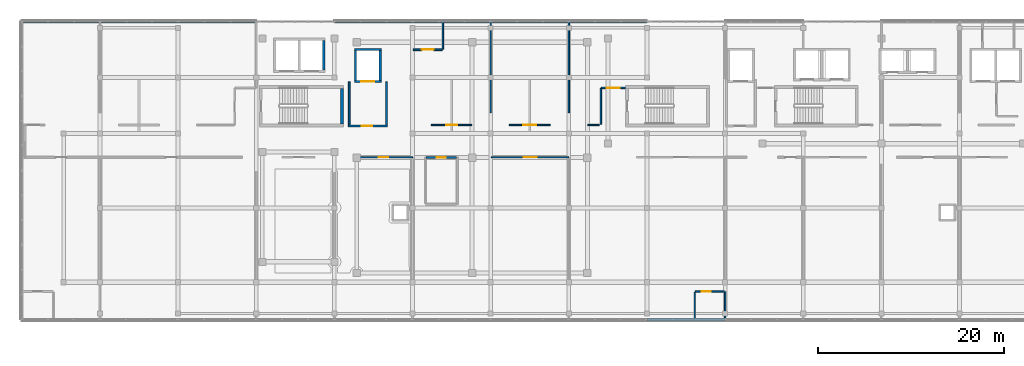
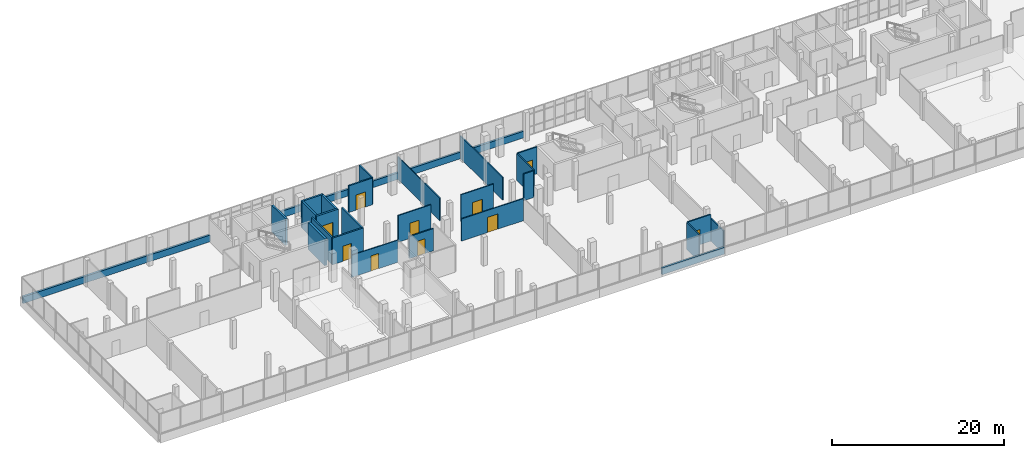
# One storey, part 56 of 66: 32 walls, 10 doors, 10 openings.
"""IFC4 building model written with IfcOpenShell, lengths in metres."""

from ifc_helpers import new_model, si_unit, direction, frame, frame_2d, origin, place, context, subcontext, project, spatial, rectangle, extrude, material, layer, layer_set, type_object, element, fill, save


model = new_model("IFC4")

# Units and contexts
model_context = context("Model", 3, precision=1e-05, world=origin(), true_north=direction((0.0, 1.0)))
body_context = subcontext(model_context, "Body", "Model", "MODEL_VIEW")
ifc_project = project(units=[si_unit("LENGTHUNIT", "METRE"), si_unit("AREAUNIT", "SQUARE_METRE"), si_unit("VOLUMEUNIT", "CUBIC_METRE"), si_unit("PLANEANGLEUNIT", "RADIAN"), si_unit("MASSUNIT", "GRAM", prefix="KILO")], contexts=[model_context])

# Site, building, storey
site_placement = place(None, origin())
site = spatial("IfcSite", under=ifc_project, at=site_placement, CompositionType="ELEMENT")
building_placement = place(site_placement, origin())
building = spatial("IfcBuilding", under=site, at=building_placement, Name="Selatvlak General Hospital", CompositionType="ELEMENT")
storey_placement = place(building_placement, frame((0.0, 0.0, 31.35009765625)))
storey = spatial("IfcBuildingStorey", under=building, at=storey_placement, Name="L07", CompositionType="ELEMENT", Elevation=31.35009765625)

# Walls
ifc_material_1 = material(Name="Precast concrete C40/50 - white Bauhaus spandrel", Category="concrete")
ifc_layer_1 = layer(ifc_material_1, 0.280029296875, Name="Precast concrete C40/50 - white Bauhaus spandrel", Category="concrete")
ifc_layer_set_1 = layer_set([ifc_layer_1], Name="Precast concrete C40/50 - white Bauhaus spandrel")
wall_type_1 = type_object("IfcWallType", Name="WALL-EW-02", PredefinedType="SOLIDWALL", material=ifc_layer_set_1)
wall_1_placement = place(storey_placement, frame((22.93994140625, 119.9990234375, 0.0), z_axis=(0.0, 0.0, 1.0), x_axis=(1.0, 0.0, 0.0)))
element("IfcWall", 1, at=wall_1_placement, inside=storey, type_object=wall_type_1, Name="L07 Bauhaus spandrel sill wall 0569", PredefinedType="SOLIDWALL", context=body_context, shape_type="SweptSolid", body=[
    extrude(rectangle(XDim=8.258056640625, YDim=0.280029296875, at=frame_2d((4.12890625, 0.0))), origin(), (0.0, 0.0, 1.0), 0.93994140625),
])
for number, where, z_axis, x_axis, name in (
    (2, (31.201904296875, 119.9990234375, 0.0), (0.0, 0.0, 1.0), (1.0, 0.0, 0.0), "L07 Bauhaus spandrel sill wall 0570"),
    (3, (39.60205078125, 119.9990234375, 0.0), (0.0, 0.0, 1.0), (1.0, 0.0, 0.0), "L07 Bauhaus spandrel sill wall 0571"),
    (4, (56.402099609375, 119.9990234375, 0.0), (0.0, 0.0, 1.0), (1.0, 0.0, 0.0), "L07 Bauhaus spandrel sill wall 0572"),
    (5, (64.802001953125, 119.9990234375, 0.0), (0.0, 0.0, 1.0), (1.0, 0.0, 0.0), "L07 Bauhaus spandrel sill wall 0573"),
    (6, (73.201904296875, 119.9990234375, 0.0), (0.0, 0.0, 1.0), (1.0, 0.0, 0.0), "L07 Bauhaus spandrel sill wall 0574"),
    (7, (81.60205078125, 119.9990234375, 0.0), (0.0, 0.0, 1.0), (1.0, 0.0, 0.0), "L07 Bauhaus spandrel sill wall 0575"),
    (8, (98.39794921875, 88.0009765625, 0.0), (0.0, 0.0, 1.0), (-0.999999993236, -0.000116312881, 0.0), "L07 Bauhaus spandrel sill wall 0594"),
):
    element("IfcWall", number, at=place(storey_placement, frame(where, z_axis=z_axis, x_axis=x_axis)), inside=storey, type_object=wall_type_1, Name=name, PredefinedType="SOLIDWALL", context=body_context, shape_type="SweptSolid", body=[
        extrude(rectangle(XDim=8.39599609375, YDim=0.280029296875, at=frame_2d((4.197998046875, 0.0))), origin(), (0.0, 0.0, 1.0), 0.93994140625),
    ])

# Wall, opening, door
ifc_material_2 = material(Name="Concrete C40/50", Category="concrete")
ifc_layer_2 = layer(ifc_material_2, 0.199951171875, Name="Concrete C40/50", Category="concrete")
ifc_layer_set_2 = layer_set([ifc_layer_2], Name="Concrete C40/50")
wall_type_2 = type_object("IfcWallType", Name="WALL-IW-02", PredefinedType="SOLIDWALL", material=ifc_layer_set_2)
wall_2_placement = place(storey_placement, frame((57.89990234375, 108.800048828125, 0.0), z_axis=(0.0, 0.0, 1.0), x_axis=(1.0, 0.0, 0.0)))
wall_2 = element("IfcWall", 9, at=wall_2_placement, inside=storey, type_object=wall_type_2, Name="Firefighting lobby C1 wall L07 S", PredefinedType="SOLIDWALL", context=body_context, shape_type="SweptSolid", body=[
    extrude(rectangle(XDim=4.2001953125, YDim=0.199951171875, at=frame_2d((2.10009765625, 0.0))), origin(), (0.0, 0.0, 1.0), 3.784912109375),
])
opening_1_placement = place(wall_2_placement, frame((1.425048828125, 0.0, 0.0)))
opening_1 = element("IfcOpeningElement", 10, at=opening_1_placement, cuts=wall_2, Name="Opening D-06", PredefinedType="OPENING", context=body_context, shape_type="SweptSolid", body=[
    extrude(rectangle(XDim=1.14990234375, YDim=2.14990234375, at=frame_2d((0.574951171875, 1.074951171875))), frame((0.0, 0.10986328125, 0.0), z_axis=(0.0, -1.0, 0.0), x_axis=(1.0, 0.0, 0.0)), (0.0, 0.0, 1.0), 0.219970703125),
])
ifc_material_3 = material(Name="Firefighting lobby fire door")
door_type_1 = type_object("IfcDoorType", Name="DOOR-D-06", OperationType="NOTDEFINED", PredefinedType="DOOR", material=ifc_material_3)
door_1_placement = place(opening_1_placement, origin())
door_1 = element("IfcDoor", 11, at=door_1_placement, inside=storey, type_object=door_type_1, Name="Firefighting lobby C1 door on L07", OperationType="SINGLE_SWING_RIGHT", OverallHeight=2.14990234375, OverallWidth=1.14990234375, PredefinedType="DOOR", context=body_context, shape_type="SweptSolid", body=[
    extrude(rectangle(XDim=1.14990234375, YDim=2.14990234375, at=frame_2d((0.574951171875, 1.074951171875))), frame((0.0, 0.02490234375, 0.0), z_axis=(0.0, -1.0, 0.0), x_axis=(1.0, 0.0, 0.0)), (0.0, 0.0, 1.0), 0.050048828125),
])
fill(opening_1, door_1)

# Walls
for number, where, z_axis, x_axis, name in (
    (12, (62.0, 108.89990234375, 0.0), (0.0, 0.0, 1.0), (0.0, 1.0, 0.0), "Firefighting lobby C1 wall L07 E"),
    (13, (58.0, 113.550048828125, 0.0), (0.0, 0.0, 1.0), (0.0, -1.0, 0.0), "Firefighting lobby C1 wall L07 W"),
):
    element("IfcWall", number, at=place(storey_placement, frame(where, z_axis=z_axis, x_axis=x_axis)), inside=storey, type_object=wall_type_2, Name=name, PredefinedType="SOLIDWALL", context=body_context, shape_type="SweptSolid", body=[
        extrude(rectangle(XDim=4.650146484375, YDim=0.199951171875, at=frame_2d((2.3251953125, 0.0))), origin(), (0.0, 0.0, 1.0), 3.784912109375),
    ])

# Wall, opening, door
ifc_material_4 = material(Name="Acoustic gypsum stud partition")
ifc_layer_3 = layer(ifc_material_4, 0.179931640625, Name="Acoustic gypsum stud partition")
ifc_layer_set_3 = layer_set([ifc_layer_3], Name="Acoustic gypsum stud partition")
wall_type_3 = type_object("IfcWallType", Name="WALL-PT-01", PredefinedType="PARTITIONING", material=ifc_layer_set_3)
wall_3_placement = place(storey_placement, frame((66.263916015625, 105.419921875, 0.0), z_axis=(0.0, 0.0, 1.0), x_axis=(1.0, 0.0, 0.0)))
wall_3 = element("IfcWall", 14, at=wall_3_placement, inside=storey, type_object=wall_type_3, Name="L07 clinical partition PT-L07-2064", PredefinedType="PARTITIONING", context=body_context, shape_type="SweptSolid", body=[
    extrude(rectangle(XDim=3.25, YDim=0.179931640625, at=frame_2d((1.625, 0.0))), origin(), (0.0, 0.0, 1.0), 3.135009765625),
])
opening_2_placement = place(wall_3_placement, frame((1.125, 0.0, 0.0)))
opening_2 = element("IfcOpeningElement", 15, at=opening_2_placement, cuts=wall_3, Name="Opening D-03", PredefinedType="OPENING", context=body_context, shape_type="SweptSolid", body=[
    extrude(rectangle(XDim=1.0, YDim=2.10009765625, at=frame_2d((0.5, 1.050048828125))), frame((0.0, 0.099853515625, 0.0), z_axis=(0.0, -1.0, 0.0), x_axis=(1.0, 0.0, 0.0)), (0.0, 0.0, 1.0), 0.199951171875),
])
ifc_material_5 = material(Name="Accessible WC door")
door_type_2 = type_object("IfcDoorType", Name="DOOR-D-03", OperationType="NOTDEFINED", PredefinedType="DOOR", material=ifc_material_5)
door_2_placement = place(opening_2_placement, origin())
door_2 = element("IfcDoor", 16, at=door_2_placement, inside=storey, type_object=door_type_2, Name="L07 Accessible WC door", OperationType="SINGLE_SWING_LEFT", OverallHeight=2.10009765625, OverallWidth=1.0, PredefinedType="DOOR", context=body_context, shape_type="SweptSolid", body=[
    extrude(rectangle(XDim=1.0, YDim=2.10009765625, at=frame_2d((0.5, 1.050048828125))), frame((0.0, 0.02490234375, 0.0), z_axis=(0.0, -1.0, 0.0), x_axis=(1.0, 0.0, 0.0)), (0.0, 0.0, 1.0), 0.050048828125),
])
fill(opening_2, door_2)

# Wall
wall_4_placement = place(storey_placement, frame((98.39990234375, 91.0, 0.0), z_axis=(0.0, 0.0, 1.0), x_axis=(0.0, -1.0, 0.0)))
element("IfcWall", 17, at=wall_4_placement, inside=storey, type_object=wall_type_3, Name="L07 clinical partition PT-L07-2094", PredefinedType="PARTITIONING", context=body_context, shape_type="SweptSolid", body=[
    extrude(rectangle(XDim=2.989990234375, YDim=0.179931640625, at=frame_2d((1.4951171875, 0.0))), origin(), (0.0, 0.0, 1.0), 3.184814453125),
])

# Wall, opening, door
wall_5_placement = place(storey_placement, frame((64.87109375, 117.0, 0.0), z_axis=(0.0, 0.0, 1.0), x_axis=(1.0, 0.0, 0.0)))
wall_5 = element("IfcWall", 18, at=wall_5_placement, inside=storey, type_object=wall_type_3, Name="L07 clinical partition PT-L07-2124", PredefinedType="PARTITIONING", context=body_context, shape_type="SweptSolid", body=[
    extrude(rectangle(XDim=3.12890625, YDim=0.179931640625, at=frame_2d((1.564453125, 0.0))), origin(), (0.0, 0.0, 1.0), 3.784912109375),
])
opening_3_placement = place(wall_5_placement, frame((0.9150390625, 0.0, 0.0)))
opening_3 = element("IfcOpeningElement", 19, at=opening_3_placement, cuts=wall_5, Name="Opening D-09", PredefinedType="OPENING", context=body_context, shape_type="SweptSolid", body=[
    extrude(rectangle(XDim=1.300048828125, YDim=2.14990234375, at=frame_2d((0.64990234375, 1.074951171875))), frame((0.0, 0.099853515625, 0.0), z_axis=(0.0, -1.0, 0.0), x_axis=(1.0, 0.0, 0.0)), (0.0, 0.0, 1.0), 0.199951171875),
])
ifc_material_6 = material(Name="Outpatient procedure door")
door_type_3 = type_object("IfcDoorType", Name="DOOR-D-09", OperationType="NOTDEFINED", PredefinedType="DOOR", material=ifc_material_6)
door_3_placement = place(opening_3_placement, origin())
door_3 = element("IfcDoor", 20, at=door_3_placement, inside=storey, type_object=door_type_3, Name="L07 Patient En-Suite WC 19 door", OperationType="SINGLE_SWING_LEFT", OverallHeight=2.14990234375, OverallWidth=1.300048828125, PredefinedType="DOOR", context=body_context, shape_type="SweptSolid", body=[
    extrude(rectangle(XDim=1.300048828125, YDim=2.14990234375, at=frame_2d((0.64990234375, 1.074951171875))), frame((0.0, 0.02490234375, 0.0), z_axis=(0.0, -1.0, 0.0), x_axis=(1.0, 0.0, 0.0)), (0.0, 0.0, 1.0), 0.050048828125),
])
fill(opening_3, door_3)

wall_6_placement = place(storey_placement, frame((87.68994140625, 112.89990234375, 0.0), z_axis=(0.0, 0.0, 1.0), x_axis=(-1.0, 0.0, 0.0)))
wall_6 = element("IfcWall", 21, at=wall_6_placement, inside=storey, type_object=wall_type_3, Name="L07 clinical partition PT-L07-2130", PredefinedType="PARTITIONING", context=body_context, shape_type="SweptSolid", body=[
    extrude(rectangle(XDim=2.58984375, YDim=0.179931640625, at=frame_2d((1.294921875, 0.0))), origin(), (0.0, 0.0, 1.0), 3.784912109375),
])
opening_4_placement = place(wall_6_placement, frame((0.594970703125, 0.0, 0.0)))
opening_4 = element("IfcOpeningElement", 22, at=opening_4_placement, cuts=wall_6, Name="Opening D-11", PredefinedType="OPENING", context=body_context, shape_type="SweptSolid", body=[
    extrude(rectangle(XDim=1.39990234375, YDim=2.14990234375, at=frame_2d((0.699951171875, 1.074951171875))), frame((0.0, 0.099853515625, 0.0), z_axis=(0.0, -1.0, 0.0), x_axis=(1.0, 0.0, 0.0)), (0.0, 0.0, 1.0), 0.199951171875),
])
ifc_material_7 = material(Name="Inpatient suite bed door")
door_type_4 = type_object("IfcDoorType", Name="DOOR-D-11", OperationType="NOTDEFINED", PredefinedType="DOOR", material=ifc_material_7)
door_4_placement = place(opening_4_placement, origin())
door_4 = element("IfcDoor", 23, at=door_4_placement, inside=storey, type_object=door_type_4, Name="L07 Oncology Inpatient Ward Bay 21 door", OperationType="SINGLE_SWING_LEFT", OverallHeight=2.14990234375, OverallWidth=1.39990234375, PredefinedType="DOOR", context=body_context, shape_type="SweptSolid", body=[
    extrude(rectangle(XDim=1.39990234375, YDim=2.14990234375, at=frame_2d((0.699951171875, 1.074951171875))), frame((0.0, 0.02490234375, 0.0), z_axis=(0.0, -1.0, 0.0), x_axis=(1.0, 0.0, 0.0)), (0.0, 0.0, 1.0), 0.050048828125),
])
fill(opening_4, door_4)

ifc_layer_4 = layer(ifc_material_4, 0.1650390625, Name="Acoustic gypsum stud partition")
ifc_layer_set_4 = layer_set([ifc_layer_4], Name="Acoustic gypsum stud partition")
wall_type_4 = type_object("IfcWallType", Name="WALL-PT-02", PredefinedType="PARTITIONING", material=ifc_layer_set_4)
wall_7_placement = place(storey_placement, frame((98.31396484375, 91.0, 0.0), z_axis=(0.0, 0.0, 1.0), x_axis=(-1.0, 0.0, 0.0)))
wall_7 = element("IfcWall", 24, at=wall_7_placement, inside=storey, type_object=wall_type_4, Name="L07 clinical partition PT-L07-2092", PredefinedType="PARTITIONING", context=body_context, shape_type="SweptSolid", body=[
    extrude(rectangle(XDim=3.114013671875, YDim=0.1650390625, at=frame_2d((1.55712890625, 0.0))), origin(), (0.0, 0.0, 1.0), 3.784912109375),
])
opening_5_placement = place(wall_7_placement, frame((1.430908203125, 0.0, 0.0)))
opening_5 = element("IfcOpeningElement", 25, at=opening_5_placement, cuts=wall_7, Name="Opening D-21", PredefinedType="OPENING", context=body_context, shape_type="SweptSolid", body=[
    extrude(rectangle(XDim=1.0, YDim=2.14990234375, at=frame_2d((0.5, 1.074951171875))), frame((0.0, 0.092529296875, 0.0), z_axis=(0.0, -1.0, 0.0), x_axis=(1.0, 0.0, 0.0)), (0.0, 0.0, 1.0), 0.18505859375),
])
ifc_material_8 = material(Name="Laboratory fire door")
door_type_5 = type_object("IfcDoorType", Name="DOOR-D-21", OperationType="NOTDEFINED", PredefinedType="DOOR", material=ifc_material_8)
door_5_placement = place(opening_5_placement, origin())
door_5 = element("IfcDoor", 26, at=door_5_placement, inside=storey, type_object=door_type_5, Name="L07 Patient En-Suite WC 07 door", OperationType="SINGLE_SWING_LEFT", OverallHeight=2.14990234375, OverallWidth=1.0, PredefinedType="DOOR", context=body_context, shape_type="SweptSolid", body=[
    extrude(rectangle(XDim=1.0, YDim=2.14990234375, at=frame_2d((0.5, 1.074951171875))), frame((0.0, 0.02490234375, 0.0), z_axis=(0.0, -1.0, 0.0), x_axis=(1.0, 0.0, 0.0)), (0.0, 0.0, 1.0), 0.050048828125),
])
fill(opening_5, door_5)

# Walls
wall_8_placement = place(storey_placement, frame((68.06005859375, 117.06005859375, 0.0), z_axis=(0.0, 0.0, 1.0), x_axis=(0.0, 1.0, 0.0)))
element("IfcWall", 27, at=wall_8_placement, inside=storey, type_object=wall_type_4, Name="L07 clinical partition PT-L07-2125", PredefinedType="PARTITIONING", context=body_context, shape_type="SweptSolid", body=[
    extrude(rectangle(XDim=2.89697265625, YDim=0.1650390625, at=frame_2d((1.448486328125, 0.0))), origin(), (0.0, 0.0, 1.0), 3.784912109375),
])
wall_9_placement = place(storey_placement, frame((85.0400390625, 112.840087890625, 0.0), z_axis=(0.0, 0.0, 1.0), x_axis=(0.0, -1.0, 0.0)))
element("IfcWall", 28, at=wall_9_placement, inside=storey, type_object=wall_type_4, Name="L07 clinical partition PT-L07-2131", PredefinedType="PARTITIONING", context=body_context, shape_type="SweptSolid", body=[
    extrude(rectangle(XDim=3.8671875, YDim=0.1650390625, at=frame_2d((1.93359375, 0.0))), origin(), (0.0, 0.0, 1.0), 3.784912109375),
])
ifc_layer_5 = layer(ifc_material_4, 0.14990234375, Name="Acoustic gypsum stud partition")
ifc_layer_set_5 = layer_set([ifc_layer_5], Name="Acoustic gypsum stud partition")
wall_type_5 = type_object("IfcWallType", Name="WALL-PT-03", PredefinedType="PARTITIONING", material=ifc_layer_set_5)
wall_10_placement = place(storey_placement, frame((81.60009765625, 119.989990234375, 0.0), z_axis=(0.0, 0.0, 1.0), x_axis=(0.0, -1.0, 0.0)))
element("IfcWall", 29, at=wall_10_placement, inside=storey, type_object=wall_type_5, Name="L07 clinical partition PT-L07-2127", PredefinedType="PARTITIONING", context=body_context, shape_type="SweptSolid", body=[
    extrude(rectangle(XDim=9.780029296875, YDim=0.14990234375, at=frame_2d((4.89013671875, 0.0))), origin(), (0.0, 0.0, 1.0), 3.184814453125),
])
wall_11_placement = place(storey_placement, frame((84.886962890625, 108.909912109375, 0.0), z_axis=(0.0, 0.0, 1.0), x_axis=(-1.0, 0.0, 0.0)))
element("IfcWall", 30, at=wall_11_placement, inside=storey, type_object=wall_type_5, Name="L07 clinical partition PT-L07-2132", PredefinedType="PARTITIONING", context=body_context, shape_type="SweptSolid", body=[
    extrude(rectangle(XDim=1.27587890625, YDim=0.14990234375, at=frame_2d((0.637939453125, 0.0))), origin(), (0.0, 0.0, 1.0), 3.784912109375),
])

# Wall, opening, door
ifc_material_9 = material(Name="Moisture-resistant clinical partition")
ifc_layer_6 = layer(ifc_material_9, 0.135009765625, Name="Moisture-resistant clinical partition")
ifc_layer_set_6 = layer_set([ifc_layer_6], Name="Moisture-resistant clinical partition")
wall_type_6 = type_object("IfcWallType", Name="WALL-PT-04", PredefinedType="PARTITIONING", material=ifc_layer_set_6)
wall_12_placement = place(storey_placement, frame((73.27099609375, 105.43994140625, 0.0), z_axis=(0.0, 0.0, 1.0), x_axis=(1.0, 0.0, 0.0)))
wall_12 = element("IfcWall", 31, at=wall_12_placement, inside=storey, type_object=wall_type_6, Name="L07 clinical partition PT-L07-2088", PredefinedType="PARTITIONING", context=body_context, shape_type="SweptSolid", body=[
    extrude(rectangle(XDim=8.3291015625, YDim=0.135009765625, at=frame_2d((4.16455078125, 0.0))), origin(), (0.0, 0.0, 1.0), 3.135009765625),
])
opening_6_placement = place(wall_12_placement, frame((3.464111328125, 0.0, 0.0)))
opening_6 = element("IfcOpeningElement", 32, at=opening_6_placement, cuts=wall_12, Name="Opening D-11", PredefinedType="OPENING", context=body_context, shape_type="SweptSolid", body=[
    extrude(rectangle(XDim=1.39990234375, YDim=2.14990234375, at=frame_2d((0.699951171875, 1.074951171875))), frame((0.0, 0.077392578125, 0.0), z_axis=(0.0, -1.0, 0.0), x_axis=(1.0, 0.0, 0.0)), (0.0, 0.0, 1.0), 0.155029296875),
])
door_6_placement = place(opening_6_placement, origin())
door_6 = element("IfcDoor", 33, at=door_6_placement, inside=storey, type_object=door_type_4, Name="L07 Multidisciplinary Rehabilitation Gymnasium 06 door", OperationType="SINGLE_SWING_LEFT", OverallHeight=2.14990234375, OverallWidth=1.39990234375, PredefinedType="DOOR", context=body_context, shape_type="SweptSolid", body=[
    extrude(rectangle(XDim=1.39990234375, YDim=2.14990234375, at=frame_2d((0.699951171875, 1.074951171875))), frame((0.0, 0.02490234375, 0.0), z_axis=(0.0, -1.0, 0.0), x_axis=(1.0, 0.0, 0.0)), (0.0, 0.0, 1.0), 0.050048828125),
])
fill(opening_6, door_6)

# Wall
wall_13_placement = place(storey_placement, frame((95.139892578125, 90.93994140625, 0.0), z_axis=(0.0, 0.0, 1.0), x_axis=(0.0, -1.0, 0.0)))
element("IfcWall", 34, at=wall_13_placement, inside=storey, type_object=wall_type_6, Name="L07 clinical partition PT-L07-2093", PredefinedType="PARTITIONING", context=body_context, shape_type="SweptSolid", body=[
    extrude(rectangle(XDim=2.89697265625, YDim=0.135009765625, at=frame_2d((1.448486328125, 0.0))), origin(), (0.0, 0.0, 1.0), 3.784912109375),
])

# Wall, opening, door
wall_14_placement = place(storey_placement, frame((71.18896484375, 108.909912109375, 0.0), z_axis=(0.0, 0.0, 1.0), x_axis=(-1.0, 0.0, 0.0)))
wall_14 = element("IfcWall", 35, at=wall_14_placement, inside=storey, type_object=wall_type_6, Name="L07 clinical partition PT-L07-2123", PredefinedType="PARTITIONING", context=body_context, shape_type="SweptSolid", body=[
    extrude(rectangle(XDim=4.3779296875, YDim=0.135009765625, at=frame_2d((2.18896484375, 0.0))), origin(), (0.0, 0.0, 1.0), 3.784912109375),
])
opening_7_placement = place(wall_14_placement, frame((1.589111328125, 0.0, 0.0)))
opening_7 = element("IfcOpeningElement", 36, at=opening_7_placement, cuts=wall_14, Name="Opening D-07", PredefinedType="OPENING", context=body_context, shape_type="SweptSolid", body=[
    extrude(rectangle(XDim=1.199951171875, YDim=2.14990234375, at=frame_2d((0.60009765625, 1.074951171875))), frame((0.0, 0.077392578125, 0.0), z_axis=(0.0, -1.0, 0.0), x_axis=(1.0, 0.0, 0.0)), (0.0, 0.0, 1.0), 0.155029296875),
])
ifc_material_10 = material(Name="Plant and store fire door")
door_type_6 = type_object("IfcDoorType", Name="DOOR-D-07", OperationType="NOTDEFINED", PredefinedType="DOOR", material=ifc_material_10)
door_7_placement = place(opening_7_placement, origin())
door_7 = element("IfcDoor", 37, at=door_7_placement, inside=storey, type_object=door_type_6, Name="L07 Single Patient Room 19 door", OperationType="SINGLE_SWING_RIGHT", OverallHeight=2.14990234375, OverallWidth=1.199951171875, PredefinedType="DOOR", context=body_context, shape_type="SweptSolid", body=[
    extrude(rectangle(XDim=1.199951171875, YDim=2.14990234375, at=frame_2d((0.60009765625, 1.074951171875))), frame((0.0, 0.02490234375, 0.0), z_axis=(0.0, -1.0, 0.0), x_axis=(1.0, 0.0, 0.0)), (0.0, 0.0, 1.0), 0.050048828125),
])
fill(opening_7, door_7)

# Wall
wall_15_placement = place(storey_placement, frame((73.199951171875, 119.989990234375, 0.0), z_axis=(0.0, 0.0, 1.0), x_axis=(0.0, -1.0, 0.0)))
element("IfcWall", 38, at=wall_15_placement, inside=storey, type_object=wall_type_6, Name="L07 clinical partition PT-L07-2126", PredefinedType="PARTITIONING", context=body_context, shape_type="SweptSolid", body=[
    extrude(rectangle(XDim=9.780029296875, YDim=0.135009765625, at=frame_2d((4.89013671875, 0.0))), origin(), (0.0, 0.0, 1.0), 3.184814453125),
])

# Wall, opening, door
wall_16_placement = place(storey_placement, frame((79.589111328125, 108.909912109375, 0.0), z_axis=(0.0, 0.0, 1.0), x_axis=(-1.0, 0.0, 0.0)))
wall_16 = element("IfcWall", 39, at=wall_16_placement, inside=storey, type_object=wall_type_6, Name="L07 clinical partition PT-L07-2128", PredefinedType="PARTITIONING", context=body_context, shape_type="SweptSolid", body=[
    extrude(rectangle(XDim=4.378173828125, YDim=0.135009765625, at=frame_2d((2.18896484375, 0.0))), origin(), (0.0, 0.0, 1.0), 3.784912109375),
])
opening_8_placement = place(wall_16_placement, frame((1.513916015625, 0.0, 0.0)))
opening_8 = element("IfcOpeningElement", 40, at=opening_8_placement, cuts=wall_16, Name="Opening D-10", PredefinedType="OPENING", context=body_context, shape_type="SweptSolid", body=[
    extrude(rectangle(XDim=1.35009765625, YDim=2.14990234375, at=frame_2d((0.675048828125, 1.074951171875))), frame((0.0, 0.077392578125, 0.0), z_axis=(0.0, -1.0, 0.0), x_axis=(1.0, 0.0, 0.0)), (0.0, 0.0, 1.0), 0.155029296875),
])
ifc_material_11 = material(Name="Single patient bed door")
door_type_7 = type_object("IfcDoorType", Name="DOOR-D-10", OperationType="NOTDEFINED", PredefinedType="DOOR", material=ifc_material_11)
door_8_placement = place(opening_8_placement, origin())
door_8 = element("IfcDoor", 41, at=door_8_placement, inside=storey, type_object=door_type_7, Name="L07 Orthopaedic Inpatient Ward Bay 20 door", OperationType="SINGLE_SWING_RIGHT", OverallHeight=2.14990234375, OverallWidth=1.35009765625, PredefinedType="DOOR", context=body_context, shape_type="SweptSolid", body=[
    extrude(rectangle(XDim=1.35009765625, YDim=2.14990234375, at=frame_2d((0.675048828125, 1.074951171875))), frame((0.0, 0.02490234375, 0.0), z_axis=(0.0, -1.0, 0.0), x_axis=(1.0, 0.0, 0.0)), (0.0, 0.0, 1.0), 0.050048828125),
])
fill(opening_8, door_8)

ifc_layer_7 = layer(ifc_material_9, 0.1201171875, Name="Moisture-resistant clinical partition")
ifc_layer_set_7 = layer_set([ifc_layer_7], Name="Moisture-resistant clinical partition")
wall_type_7 = type_object("IfcWallType", Name="WALL-PT-05", PredefinedType="PARTITIONING", material=ifc_layer_set_7)
wall_17_placement = place(storey_placement, frame((58.534912109375, 105.43994140625, 0.0), z_axis=(0.0, 0.0, 1.0), x_axis=(1.0, 0.0, 0.0)))
wall_17 = element("IfcWall", 42, at=wall_17_placement, inside=storey, type_object=wall_type_7, Name="L07 clinical partition PT-L07-2084", PredefinedType="PARTITIONING", context=body_context, shape_type="SweptSolid", body=[
    extrude(rectangle(XDim=6.26513671875, YDim=0.1201171875, at=frame_2d((3.132568359375, 0.0))), origin(), (0.0, 0.0, 1.0), 3.135009765625),
])
opening_9_placement = place(wall_17_placement, frame((2.60791015625, 0.0, 0.0)))
opening_9 = element("IfcOpeningElement", 43, at=opening_9_placement, cuts=wall_17, Name="Opening D-04", PredefinedType="OPENING", context=body_context, shape_type="SweptSolid", body=[
    extrude(rectangle(XDim=1.050048828125, YDim=2.14990234375, at=frame_2d((0.52490234375, 1.074951171875))), frame((0.0, 0.070068359375, 0.0), z_axis=(0.0, -1.0, 0.0), x_axis=(1.0, 0.0, 0.0)), (0.0, 0.0, 1.0), 0.14013671875),
])
ifc_material_12 = material(Name="Consultation room door")
door_type_8 = type_object("IfcDoorType", Name="DOOR-D-04", OperationType="NOTDEFINED", PredefinedType="DOOR", material=ifc_material_12)
door_9_placement = place(opening_9_placement, origin())
door_9 = element("IfcDoor", 44, at=door_9_placement, inside=storey, type_object=door_type_8, Name="L07 Multidisciplinary Rehabilitation Gymnasium 04 door", OperationType="SINGLE_SWING_RIGHT", OverallHeight=2.14990234375, OverallWidth=1.050048828125, PredefinedType="DOOR", context=body_context, shape_type="SweptSolid", body=[
    extrude(rectangle(XDim=1.050048828125, YDim=2.14990234375, at=frame_2d((0.52490234375, 1.074951171875))), frame((0.0, 0.02490234375, 0.0), z_axis=(0.0, -1.0, 0.0), x_axis=(1.0, 0.0, 0.0)), (0.0, 0.0, 1.0), 0.050048828125),
])
fill(opening_9, door_9)

# Wall
ifc_material_13 = material(Name="Concrete C45/55", Category="concrete")
ifc_layer_8 = layer(ifc_material_13, 0.300048828125, Name="Concrete C45/55", Category="concrete")
ifc_layer_set_8 = layer_set([ifc_layer_8], Name="Concrete C45/55")
wall_type_8 = type_object("IfcWallType", Name="WALL-SW-02", PredefinedType="SHEAR", material=ifc_layer_set_8)
wall_18_placement = place(storey_placement, frame((57.2099609375, 108.989990234375, 0.0), z_axis=(0.0, 0.0, 1.0), x_axis=(0.0, 1.0, 0.0)))
element("IfcWall", 45, at=wall_18_placement, inside=storey, type_object=wall_type_8, Name="ST-01 core shear wall L07 E", PredefinedType="SHEAR", context=body_context, shape_type="SweptSolid", body=[
    extrude(rectangle(XDim=3.860107421875, YDim=0.300048828125, at=frame_2d((1.93017578125, 0.0))), origin(), (0.0, 0.0, 1.0), 3.784912109375),
])

# Wall, opening, door
ifc_layer_9 = layer(ifc_material_2, 0.25, Name="Concrete C40/50", Category="concrete")
ifc_layer_set_9 = layer_set([ifc_layer_9], Name="Concrete C40/50")
wall_type_9 = type_object("IfcWallType", Name="WALL-SW-03", PredefinedType="SHEAR", material=ifc_layer_set_9)
wall_19_placement = place(storey_placement, frame((58.550048828125, 113.574951171875, 0.0), z_axis=(0.0, 0.0, 1.0), x_axis=(1.0, 0.0, 0.0)))
wall_19 = element("IfcWall", 46, at=wall_19_placement, inside=storey, type_object=wall_type_9, Name="Lift LF-01 shaft wall L07 S", PredefinedType="SHEAR", context=body_context, shape_type="SweptSolid", body=[
    extrude(rectangle(XDim=2.89990234375, YDim=0.25, at=frame_2d((1.449951171875, 0.0))), origin(), (0.0, 0.0, 1.0), 3.784912109375),
])
opening_10_placement = place(wall_19_placement, frame((0.75, 0.0, 0.0)))
opening_10 = element("IfcOpeningElement", 47, at=opening_10_placement, cuts=wall_19, Name="Opening LD-F1", PredefinedType="OPENING", context=body_context, shape_type="SweptSolid", body=[
    extrude(rectangle(XDim=1.39990234375, YDim=2.14990234375, at=frame_2d((0.699951171875, 1.074951171875))), frame((0.0, 0.135009765625, 0.0), z_axis=(0.0, -1.0, 0.0), x_axis=(1.0, 0.0, 0.0)), (0.0, 0.0, 1.0), 0.27001953125),
])
ifc_material_14 = material(Name="Stainless steel fire lift landing door", Category="steel")
door_type_9 = type_object("IfcDoorType", Name="DOOR-LD-F1", OperationType="DOUBLE_DOOR_SLIDING", PredefinedType="DOOR", material=ifc_material_14)
door_10_placement = place(opening_10_placement, origin())
door_10 = element("IfcDoor", 48, at=door_10_placement, inside=storey, type_object=door_type_9, Name="Lift LF-01 sliding landing door on L07", OperationType="DOUBLE_DOOR_SLIDING", OverallHeight=2.14990234375, OverallWidth=1.39990234375, PredefinedType="DOOR", context=body_context, shape_type="SweptSolid", body=[
    extrude(rectangle(XDim=1.39990234375, YDim=2.14990234375, at=frame_2d((0.699951171875, 1.074951171875))), frame((0.0, 0.02490234375, 0.0), z_axis=(0.0, -1.0, 0.0), x_axis=(1.0, 0.0, 0.0)), (0.0, 0.0, 1.0), 0.050048828125),
])
fill(opening_10, door_10)

# Walls
wall_20_placement = place(storey_placement, frame((61.324951171875, 113.699951171875, 0.0), z_axis=(0.0, 0.0, 1.0), x_axis=(0.0, 1.0, 0.0)))
element("IfcWall", 49, at=wall_20_placement, inside=storey, type_object=wall_type_9, Name="Lift LF-01 shaft wall L07 E", PredefinedType="SHEAR", context=body_context, shape_type="SweptSolid", body=[
    extrude(rectangle(XDim=3.199951171875, YDim=0.25, at=frame_2d((1.60009765625, 0.0))), origin(), (0.0, 0.0, 1.0), 3.784912109375),
])
wall_21_placement = place(storey_placement, frame((61.449951171875, 117.02490234375, 0.0), z_axis=(0.0, 0.0, 1.0), x_axis=(-1.0, 0.0, 0.0)))
element("IfcWall", 50, at=wall_21_placement, inside=storey, type_object=wall_type_9, Name="Lift LF-01 shaft wall L07 N", PredefinedType="SHEAR", context=body_context, shape_type="SweptSolid", body=[
    extrude(rectangle(XDim=2.89990234375, YDim=0.25, at=frame_2d((1.449951171875, 0.0))), origin(), (0.0, 0.0, 1.0), 3.784912109375),
])
for number, where, z_axis, x_axis, name in (
    (51, (58.675048828125, 116.89990234375, 0.0), (0.0, 0.0, 1.0), (0.0, -1.0, 0.0), "Lift LF-01 shaft wall L07 W"),
    (52, (55.27490234375, 114.800048828125, 0.0), (0.0, 0.0, 1.0), (0.0, 1.0, 0.0), "Lift LB-01-LB-02 shaft wall L07 E"),
):
    element("IfcWall", number, at=place(storey_placement, frame(where, z_axis=z_axis, x_axis=x_axis)), inside=storey, type_object=wall_type_9, Name=name, PredefinedType="SHEAR", context=body_context, shape_type="SweptSolid", body=[
        extrude(rectangle(XDim=3.199951171875, YDim=0.25, at=frame_2d((1.60009765625, 0.0))), origin(), (0.0, 0.0, 1.0), 3.784912109375),
    ])

save(model, "model.ifc")
